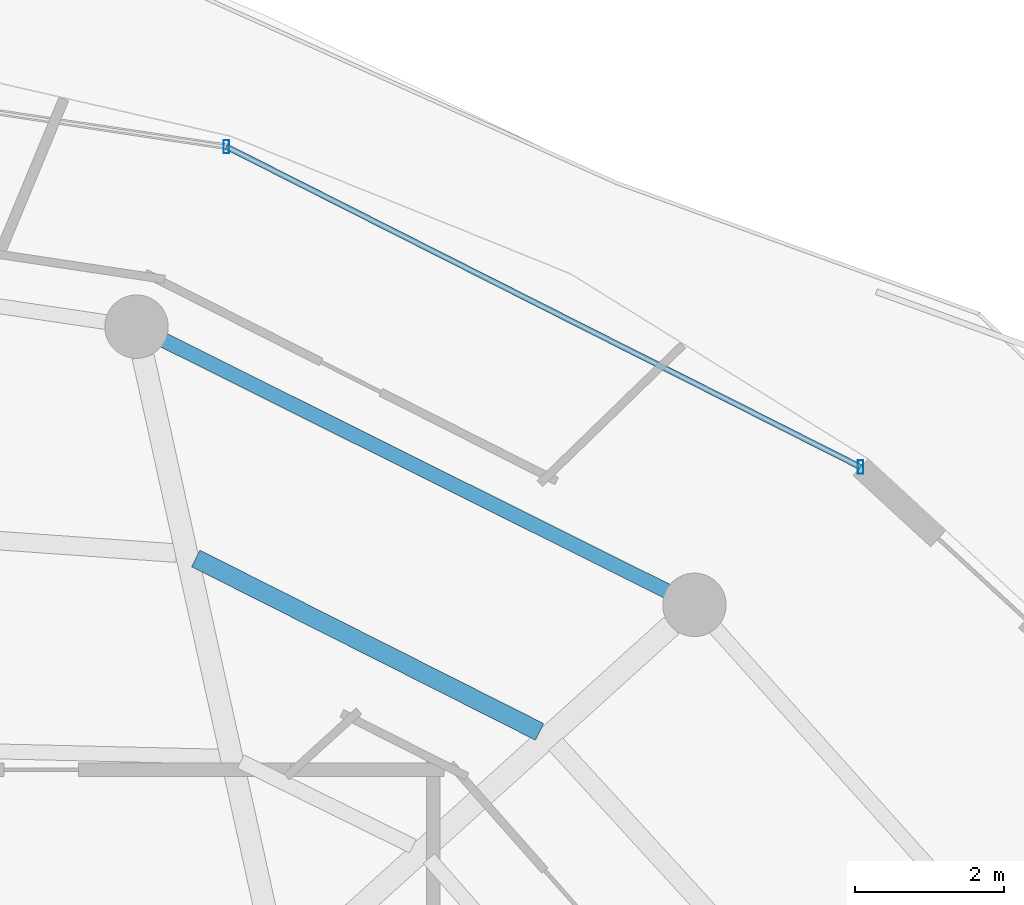
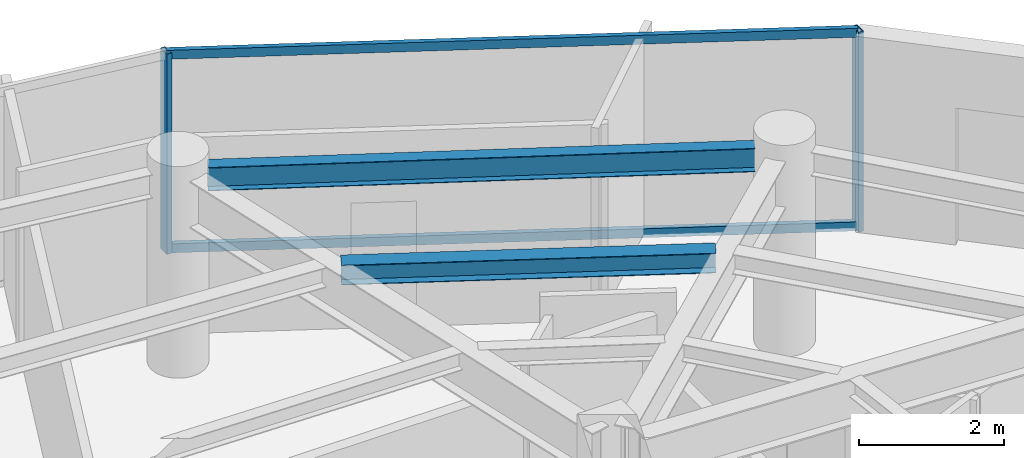
# One storey, part 21 of 31: 4 members, 2 beams, 1 element without a shape of its own.
"""IFC4 building model written with IfcOpenShell, lengths in metres."""

from ifc_helpers import new_model, si_unit, direction, frame, origin, origin_2d, place, context, subcontext, project, spatial, hollow_rectangle, i_section, extrude, material, material_profile, profile_set, type_object, element, aggregate, save


model = new_model("IFC4")

# Units and contexts
model_context = context("Model", 3, precision=1e-05, world=origin(), true_north=direction((0.0, 1.0)))
body_context = subcontext(model_context, "Body", "Model", "MODEL_VIEW")
ifc_project = project(units=[si_unit("LENGTHUNIT", "METRE"), si_unit("AREAUNIT", "SQUARE_METRE"), si_unit("VOLUMEUNIT", "CUBIC_METRE"), si_unit("PLANEANGLEUNIT", "RADIAN"), si_unit("MASSUNIT", "GRAM", prefix="KILO")], contexts=[model_context])

# Site, building, storey
site_placement = place(None, origin())
site = spatial("IfcSite", under=ifc_project, at=site_placement, CompositionType="ELEMENT")
building_placement = place(site_placement, origin())
building = spatial("IfcBuilding", under=site, at=building_placement, Name="Vorneva Point Tower", CompositionType="ELEMENT")
storey_placement = place(building_placement, frame((0.0, 0.0, 266.199951171875)))
storey = spatial("IfcBuildingStorey", under=building, at=storey_placement, Name="L72", CompositionType="ELEMENT", Elevation=266.199951171875)

# Beams
ifc_material_1 = material(Name="Steel S355", Category="steel")
ifc_material_profile_1 = material_profile(ifc_material_1, i_section(OverallWidth=0.2490234375, OverallDepth=0.333984375, WebThickness=0.008056640625, FlangeThickness=0.010986328125, at=origin_2d()), Name="35Sh1")
ifc_profile_set_1 = profile_set([ifc_material_profile_1], Name="Steel S355")
beam_type_1 = type_object("IfcBeamType", Name="BM-SEC-35Sh1", PredefinedType="BEAM", material=ifc_profile_set_1)
beam_1_placement = place(storey_placement, frame((52.222412109375, 36.460205078125, 3.123046875), z_axis=(-0.892860048752, 0.450334246246, 0.0), x_axis=(-0.450334246246, -0.892860048752, 0.0)))
element("IfcBeam", 1, at=beam_1_placement, inside=storey, type_object=beam_type_1, Name="L72 Secondary Floor Beam 1.03", PredefinedType="BEAM", context=body_context, shape_type="SweptSolid", body=[
    extrude(i_section(OverallWidth=0.2490234375, OverallDepth=0.333984375, WebThickness=0.008056640625, FlangeThickness=0.010986328125, at=origin_2d()), origin(), (0.0, 0.0, 1.0), 5.158935546875),
])
ifc_material_profile_2 = material_profile(ifc_material_1, i_section(OverallWidth=0.198974609375, OverallDepth=0.39599609375, WebThickness=0.007080078125, FlangeThickness=0.010986328125, at=origin_2d()), Name="40B1")
ifc_profile_set_2 = profile_set([ifc_material_profile_2], Name="Steel S355")
beam_type_2 = type_object("IfcBeamType", Name="BM-SPN-40B1", PredefinedType="SPANDREL", material=ifc_profile_set_2)
beam_2_placement = place(storey_placement, frame((53.931884765625, 38.34521484375, 3.092041015625), z_axis=(-0.894932011528, 0.446202526599, 0.0), x_axis=(-0.446202526599, -0.894932011528, 0.0)))
element("IfcBeam", 2, at=beam_2_placement, inside=storey, type_object=beam_type_2, Name="L72 Perimeter Spandrel Ring Beam 03", PredefinedType="SPANDREL", context=body_context, shape_type="SweptSolid", body=[
    extrude(i_section(OverallWidth=0.198974609375, OverallDepth=0.39599609375, WebThickness=0.007080078125, FlangeThickness=0.010986328125, at=origin_2d()), origin(), (0.0, 0.0, 1.0), 7.535888671875),
])

# Curtain wall, members
ifc_material_2 = material(Name="Pale anodised aluminium", Category="aluminium")
curtain_wall_type = type_object("IfcCurtainWallType", Name="CW-RES-SYS", PredefinedType="NOTDEFINED", material=ifc_material_2)
curtain_wall_placement = place(storey_placement, origin())
curtain_wall = element("IfcCurtainWall", 3, at=curtain_wall_placement, inside=storey, type_object=curtain_wall_type, Name="L72 Unitised Curtain Wall CW-L72-R02", PredefinedType="NOTDEFINED")
ifc_material_profile_3 = material_profile(ifc_material_2, hollow_rectangle(XDim=0.074951171875, YDim=0.179931640625, WallThickness=0.00390625, at=origin_2d()), Name="AL-MUL 180x75x4")
ifc_profile_set_3 = profile_set([ifc_material_profile_3], Name="Pale anodised aluminium")
member_type_1 = type_object("IfcMemberType", Name="CW-MUL-180", PredefinedType="MULLION", material=ifc_profile_set_3)
member_1_placement = place(storey_placement, frame((56.526123046875, 40.0078125, -0.0400390625), z_axis=(0.0, 0.0, 1.0), x_axis=(1.0, 0.0, 0.0)))
member_1 = element("IfcMember", 4, at=member_1_placement, type_object=member_type_1, Name="CW-L72-R02 Mullion 01", PredefinedType="MULLION", context=body_context, shape_type="SweptSolid", body=[
    extrude(hollow_rectangle(XDim=0.074951171875, YDim=0.179931640625, WallThickness=0.00390625, at=origin_2d()), origin(), (0.0, 0.0, 1.0), 3.360107421875),
])
member_2_placement = place(storey_placement, frame((48.0263671875, 44.302001953125, -0.0400390625), z_axis=(0.0, 0.0, 1.0), x_axis=(1.0, 0.0, 0.0)))
member_2 = element("IfcMember", 5, at=member_2_placement, type_object=member_type_1, Name="CW-L72-R02 Mullion 02", PredefinedType="MULLION", context=body_context, shape_type="SweptSolid", body=[
    extrude(hollow_rectangle(XDim=0.074951171875, YDim=0.179931640625, WallThickness=0.00390625, at=origin_2d()), origin(), (0.0, 0.0, 1.0), 3.360107421875),
])
ifc_material_profile_4 = material_profile(ifc_material_2, hollow_rectangle(XDim=0.074951171875, YDim=0.14990234375, WallThickness=0.00390625, at=origin_2d()), Name="AL-TRN 150x75x4")
ifc_profile_set_4 = profile_set([ifc_material_profile_4], Name="Pale anodised aluminium")
member_type_2 = type_object("IfcMemberType", Name="CW-TRN-150", PredefinedType="USERDEFINED", material=ifc_profile_set_4)
member_3_placement = place(storey_placement, frame((56.526123046875, 40.0078125, 0.02001953125), z_axis=(-0.892558185815, 0.450932239848, 0.0), x_axis=(-0.450932239848, -0.892558185815, 0.0)))
member_3 = element("IfcMember", 6, at=member_3_placement, type_object=member_type_2, Name="CW-L72-R02 Transom 01.1", ObjectType="TRANSOM", PredefinedType="USERDEFINED", context=body_context, shape_type="SweptSolid", body=[
    extrude(hollow_rectangle(XDim=0.074951171875, YDim=0.14990234375, WallThickness=0.00390625, at=origin_2d()), origin(), (0.0, 0.0, 1.0), 9.52294921875),
])
member_4_placement = place(storey_placement, frame((56.526123046875, 40.0078125, 3.27001953125), z_axis=(-0.892558185815, 0.450932239848, 0.0), x_axis=(-0.450932239848, -0.892558185815, 0.0)))
member_4 = element("IfcMember", 7, at=member_4_placement, type_object=member_type_2, Name="CW-L72-R02 Transom 01.2", ObjectType="TRANSOM", PredefinedType="USERDEFINED", context=body_context, shape_type="SweptSolid", body=[
    extrude(hollow_rectangle(XDim=0.074951171875, YDim=0.14990234375, WallThickness=0.00390625, at=origin_2d()), origin(), (0.0, 0.0, 1.0), 9.52294921875),
])
aggregate(curtain_wall, [member_1, member_2, member_3, member_4])

save(model, "model.ifc")
